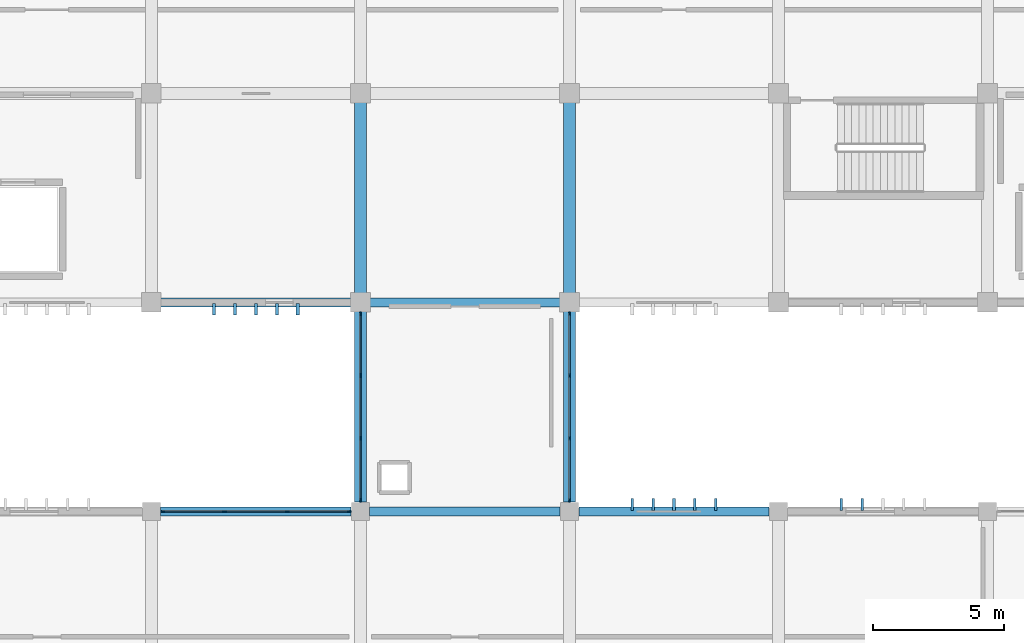
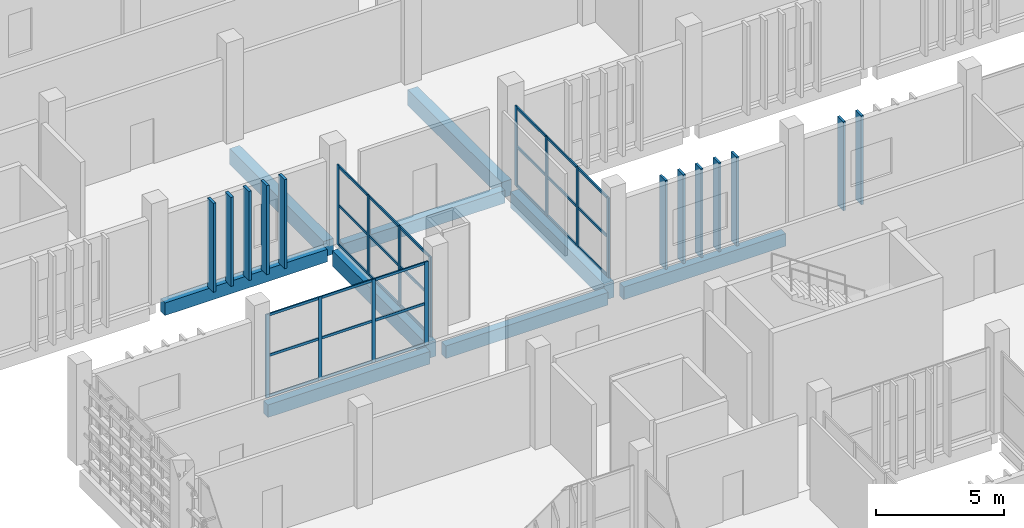
# One storey, part 55 of 106: 51 members, 9 beams, 3 elements without a shape of their own.
"""IFC4 building model written with IfcOpenShell, lengths in metres."""

from ifc_helpers import new_model, si_unit, direction, frame, origin, origin_2d, place, context, subcontext, project, spatial, rectangle, extrude, material, layer, layer_set, material_profile, profile_set, type_object, element, aggregate, save


model = new_model("IFC4")

# Units and contexts
model_context = context("Model", 3, precision=1e-05, world=origin(), true_north=direction((0.0, 1.0)))
body_context = subcontext(model_context, "Body", "Model", "MODEL_VIEW")
ifc_project = project(units=[si_unit("LENGTHUNIT", "METRE"), si_unit("AREAUNIT", "SQUARE_METRE"), si_unit("VOLUMEUNIT", "CUBIC_METRE"), si_unit("PLANEANGLEUNIT", "RADIAN"), si_unit("MASSUNIT", "GRAM", prefix="KILO")], contexts=[model_context])

# Site, building, storey
site_placement = place(None, origin())
site = spatial("IfcSite", under=ifc_project, at=site_placement, CompositionType="ELEMENT")
building_placement = place(site_placement, origin())
building = spatial("IfcBuilding", under=site, at=building_placement, Name="Jelvoka-Kovrelna Polytechnic", CompositionType="ELEMENT")
storey_placement = place(building_placement, frame((0.0, 0.0, 4.800048828125)))
storey = spatial("IfcBuildingStorey", under=building, at=storey_placement, Name="L02", CompositionType="ELEMENT", Elevation=4.800048828125)

# Beams
ifc_material_1 = material(Name="Concrete C40/50", Category="concrete")
ifc_material_profile_1 = material_profile(ifc_material_1, rectangle(XDim=0.449951171875, YDim=0.75, at=origin_2d()), Name="RC 450x750")
ifc_profile_set_1 = profile_set([ifc_material_profile_1], Name="Concrete C40/50")
beam_type_1 = type_object("IfcBeamType", Name="Beam_RC_450x750", PredefinedType="BEAM", material=ifc_profile_set_1)
for number, where, z_axis, x_axis, name in (
    (1, (144.0, 56.35498046875, -0.64013671875), (0.0, 1.0, 0.0), (-1.0, 0.0, 0.0), "L02 beam 0825"),
    (2, (152.0, 56.35498046875, -0.64013671875), (0.0, 1.0, 0.0), (-1.0, 0.0, 0.0), "L02 beam 0827"),
    (3, (144.0, 48.35498046875, -0.64013671875), (0.0, 1.0, 0.0), (-1.0, 0.0, 0.0), "L02 beam 0861"),
    (4, (152.0, 48.35498046875, -0.64013671875), (0.0, 1.0, 0.0), (-1.0, 0.0, 0.0), "L02 beam 0862"),
):
    element("IfcBeam", number, at=place(storey_placement, frame(where, z_axis=z_axis, x_axis=x_axis)), inside=storey, type_object=beam_type_1, Name=name, PredefinedType="BEAM", context=body_context, shape_type="SweptSolid", body=[
        extrude(rectangle(XDim=0.449951171875, YDim=0.75, at=origin_2d()), origin(), (0.0, 0.0, 1.0), 7.2900390625),
    ])

# Members
ifc_material_2 = material(Name="Precast concrete C40/50", Category="concrete")
ifc_material_profile_2 = material_profile(ifc_material_2, rectangle(XDim=0.10009765625, YDim=0.449951171875, at=origin_2d()), Name="PC 100x450")
ifc_profile_set_2 = profile_set([ifc_material_profile_2], Name="Precast concrete C40/50")
member_type_1 = type_object("IfcMemberType", Name="Louvre_Fin_100x450", PredefinedType="USERDEFINED", material=ifc_profile_set_2)
for number, where, z_axis, x_axis, name in (
    (5, (154.39990234375, 48.264892578125, -0.27001953125), (0.0, 0.0, 1.0), (1.0, 0.0, 0.0), "L02 B2E north vertical solar louvre fin 0921"),
    (6, (155.199951171875, 48.264892578125, -0.27001953125), (0.0, 0.0, 1.0), (1.0, 0.0, 0.0), "L02 B2E north vertical solar louvre fin 0922"),
    (7, (156.0, 48.264892578125, -0.27001953125), (0.0, 0.0, 1.0), (1.0, 0.0, 0.0), "L02 B2E north vertical solar louvre fin 0923"),
    (8, (156.800048828125, 48.264892578125, -0.27001953125), (0.0, 0.0, 1.0), (1.0, 0.0, 0.0), "L02 B2E north vertical solar louvre fin 0924"),
    (9, (157.60009765625, 48.264892578125, -0.27001953125), (0.0, 0.0, 1.0), (1.0, 0.0, 0.0), "L02 B2E north vertical solar louvre fin 0925"),
    (10, (162.39990234375, 48.264892578125, -0.27001953125), (0.0, 0.0, 1.0), (1.0, 0.0, 0.0), "L02 B2E north vertical solar louvre fin 0926"),
    (11, (163.199951171875, 48.264892578125, -0.27001953125), (0.0, 0.0, 1.0), (1.0, 0.0, 0.0), "L02 B2E north vertical solar louvre fin 0927"),
):
    element("IfcMember", number, at=place(storey_placement, frame(where, z_axis=z_axis, x_axis=x_axis)), inside=storey, type_object=member_type_1, Name=name, ObjectType="SUNSHADE", PredefinedType="USERDEFINED", context=body_context, shape_type="SweptSolid", body=[
        extrude(rectangle(XDim=0.10009765625, YDim=0.449951171875, at=origin_2d()), origin(), (0.0, 0.0, 1.0), 4.22998046875),
    ])
ifc_material_3 = material(Name="Precast concrete C40/50", Category="concrete")
ifc_material_profile_3 = material_profile(ifc_material_3, rectangle(XDim=0.1201171875, YDim=0.449951171875, at=origin_2d()), Name="PC 120x450")
ifc_profile_set_3 = profile_set([ifc_material_profile_3], Name="Precast concrete C40/50")
member_type_2 = type_object("IfcMemberType", Name="Louvre_Fin_120x450", PredefinedType="USERDEFINED", material=ifc_profile_set_3)
for number, where, z_axis, x_axis, name in (
    (12, (138.39990234375, 55.735107421875, -0.27001953125), (0.0, 0.0, 1.0), (1.0, 0.0, 0.0), "L02 B3 south vertical solar louvre fin 1396"),
    (13, (139.199951171875, 55.735107421875, -0.27001953125), (0.0, 0.0, 1.0), (1.0, 0.0, 0.0), "L02 B3 south vertical solar louvre fin 1397"),
    (14, (140.0, 55.735107421875, -0.27001953125), (0.0, 0.0, 1.0), (1.0, 0.0, 0.0), "L02 B3 south vertical solar louvre fin 1398"),
    (15, (140.800048828125, 55.735107421875, -0.27001953125), (0.0, 0.0, 1.0), (1.0, 0.0, 0.0), "L02 B3 south vertical solar louvre fin 1399"),
    (16, (141.60009765625, 55.735107421875, -0.27001953125), (0.0, 0.0, 1.0), (1.0, 0.0, 0.0), "L02 B3 south vertical solar louvre fin 1400"),
):
    element("IfcMember", number, at=place(storey_placement, frame(where, z_axis=z_axis, x_axis=x_axis)), inside=storey, type_object=member_type_2, Name=name, ObjectType="SUNSHADE", PredefinedType="USERDEFINED", context=body_context, shape_type="SweptSolid", body=[
        extrude(rectangle(XDim=0.1201171875, YDim=0.449951171875, at=origin_2d()), origin(), (0.0, 0.0, 1.0), 4.22998046875),
    ])

# Curtain wall, members
ifc_material_4 = material(Name="Anodised aluminium 6063-T6", Category="aluminium")
ifc_layer_1 = layer(ifc_material_4, 0.159912109375)
ifc_layer_set_1 = layer_set([ifc_layer_1], Name="Anodised aluminium 6063-T6")
curtain_wall_type_1 = type_object("IfcCurtainWallType", Name="CW_Recessed_A", PredefinedType="NOTDEFINED", material=ifc_layer_set_1)
curtain_wall_1_placement = place(storey_placement, origin())
curtain_wall_1 = element("IfcCurtainWall", 17, at=curtain_wall_1_placement, inside=storey, type_object=curtain_wall_type_1, Name="L02 glazed curtain wall 047", PredefinedType="NOTDEFINED")
ifc_material_5 = material(Name="Anodised aluminium 6063-T6", Category="aluminium")
ifc_material_profile_4 = material_profile(ifc_material_5, rectangle(XDim=0.06005859375, YDim=0.159912109375, at=origin_2d()), Name="ALU 60x160")
ifc_profile_set_4 = profile_set([ifc_material_profile_4], Name="Anodised aluminium 6063-T6")
member_type_3 = type_object("IfcMemberType", Name="Mullion_M-01", PredefinedType="MULLION", material=ifc_profile_set_4)
member_1_placement = place(storey_placement, frame((136.429931640625, 48.0, -0.02490234375), z_axis=(0.0, 0.0, 1.0), x_axis=(0.0, 1.0, 0.0)))
member_1 = element("IfcMember", 18, at=member_1_placement, type_object=member_type_3, Name="CW-01 mullion 1", PredefinedType="MULLION", context=body_context, shape_type="SweptSolid", body=[
    extrude(rectangle(XDim=0.06005859375, YDim=0.159912109375, at=origin_2d()), origin(), (0.0, 0.0, 1.0), 3.9599609375),
])
member_2_placement = place(storey_placement, frame((138.800048828125, 48.0, -0.02490234375), z_axis=(0.0, 0.0, 1.0), x_axis=(0.0, 1.0, 0.0)))
member_2 = element("IfcMember", 19, at=member_2_placement, type_object=member_type_3, Name="CW-01 mullion 2", PredefinedType="MULLION", context=body_context, shape_type="SweptSolid", body=[
    extrude(rectangle(XDim=0.06005859375, YDim=0.159912109375, at=origin_2d()), origin(), (0.0, 0.0, 1.0), 3.9599609375),
])
member_3_placement = place(storey_placement, frame((141.199951171875, 48.0, -0.02490234375), z_axis=(0.0, 0.0, 1.0), x_axis=(0.0, 1.0, 0.0)))
member_3 = element("IfcMember", 20, at=member_3_placement, type_object=member_type_3, Name="CW-01 mullion 3", PredefinedType="MULLION", context=body_context, shape_type="SweptSolid", body=[
    extrude(rectangle(XDim=0.06005859375, YDim=0.159912109375, at=origin_2d()), origin(), (0.0, 0.0, 1.0), 3.9599609375),
])
member_4_placement = place(storey_placement, frame((143.570068359375, 48.0, -0.02490234375), z_axis=(0.0, 0.0, 1.0), x_axis=(0.0, 1.0, 0.0)))
member_4 = element("IfcMember", 21, at=member_4_placement, type_object=member_type_3, Name="CW-01 mullion 4", PredefinedType="MULLION", context=body_context, shape_type="SweptSolid", body=[
    extrude(rectangle(XDim=0.06005859375, YDim=0.159912109375, at=origin_2d()), origin(), (0.0, 0.0, 1.0), 3.9599609375),
])

ifc_material_6 = material(Name="Anodised aluminium 6063-T6", Category="aluminium")
ifc_layer_2 = layer(ifc_material_6, 0.159912109375)
ifc_layer_set_2 = layer_set([ifc_layer_2], Name="Anodised aluminium 6063-T6")
curtain_wall_type_2 = type_object("IfcCurtainWallType", Name="CW_LinkBridge", PredefinedType="NOTDEFINED", material=ifc_layer_set_2)
curtain_wall_2_placement = place(storey_placement, origin())
curtain_wall_2 = element("IfcCurtainWall", 22, at=curtain_wall_2_placement, inside=storey, type_object=curtain_wall_type_2, Name="L02 glazed curtain wall 110", PredefinedType="NOTDEFINED")
ifc_material_7 = material(Name="Anodised aluminium 6063-T6", Category="aluminium")
ifc_material_profile_5 = material_profile(ifc_material_7, rectangle(XDim=0.06005859375, YDim=0.159912109375, at=origin_2d()), Name="ALU 60x160")
ifc_profile_set_5 = profile_set([ifc_material_profile_5], Name="Anodised aluminium 6063-T6")
member_type_4 = type_object("IfcMemberType", Name="Mullion_M-04", PredefinedType="MULLION", material=ifc_profile_set_5)
member_5_placement = place(storey_placement, frame((144.0, 48.429931640625, -0.02490234375), z_axis=(0.0, 0.0, 1.0), x_axis=(-1.0, 0.0, 0.0)))
member_5 = element("IfcMember", 23, at=member_5_placement, type_object=member_type_4, Name="CW-04 mullion 1", PredefinedType="MULLION", context=body_context, shape_type="SweptSolid", body=[
    extrude(rectangle(XDim=0.06005859375, YDim=0.159912109375, at=origin_2d()), origin(), (0.0, 0.0, 1.0), 3.81005859375),
])
member_6_placement = place(storey_placement, frame((144.0, 50.800048828125, -0.02490234375), z_axis=(0.0, 0.0, 1.0), x_axis=(-1.0, 0.0, 0.0)))
member_6 = element("IfcMember", 24, at=member_6_placement, type_object=member_type_4, Name="CW-04 mullion 2", PredefinedType="MULLION", context=body_context, shape_type="SweptSolid", body=[
    extrude(rectangle(XDim=0.06005859375, YDim=0.159912109375, at=origin_2d()), origin(), (0.0, 0.0, 1.0), 3.81005859375),
])
member_7_placement = place(storey_placement, frame((144.0, 53.199951171875, -0.02490234375), z_axis=(0.0, 0.0, 1.0), x_axis=(-1.0, 0.0, 0.0)))
member_7 = element("IfcMember", 25, at=member_7_placement, type_object=member_type_4, Name="CW-04 mullion 3", PredefinedType="MULLION", context=body_context, shape_type="SweptSolid", body=[
    extrude(rectangle(XDim=0.06005859375, YDim=0.159912109375, at=origin_2d()), origin(), (0.0, 0.0, 1.0), 3.81005859375),
])
member_8_placement = place(storey_placement, frame((144.0, 55.570068359375, -0.02490234375), z_axis=(0.0, 0.0, 1.0), x_axis=(-1.0, 0.0, 0.0)))
member_8 = element("IfcMember", 26, at=member_8_placement, type_object=member_type_4, Name="CW-04 mullion 4", PredefinedType="MULLION", context=body_context, shape_type="SweptSolid", body=[
    extrude(rectangle(XDim=0.06005859375, YDim=0.159912109375, at=origin_2d()), origin(), (0.0, 0.0, 1.0), 3.81005859375),
])

curtain_wall_3_placement = place(storey_placement, origin())
curtain_wall_3 = element("IfcCurtainWall", 27, at=curtain_wall_3_placement, inside=storey, type_object=curtain_wall_type_2, Name="L02 glazed curtain wall 111", PredefinedType="NOTDEFINED")
member_9_placement = place(storey_placement, frame((152.0, 55.570068359375, -0.02490234375), z_axis=(0.0, 0.0, 1.0), x_axis=(1.0, 0.0, 0.0)))
member_9 = element("IfcMember", 28, at=member_9_placement, type_object=member_type_4, Name="CW-04 mullion 1", PredefinedType="MULLION", context=body_context, shape_type="SweptSolid", body=[
    extrude(rectangle(XDim=0.06005859375, YDim=0.159912109375, at=origin_2d()), origin(), (0.0, 0.0, 1.0), 3.81005859375),
])
member_10_placement = place(storey_placement, frame((152.0, 53.199951171875, -0.02490234375), z_axis=(0.0, 0.0, 1.0), x_axis=(1.0, 0.0, 0.0)))
member_10 = element("IfcMember", 29, at=member_10_placement, type_object=member_type_4, Name="CW-04 mullion 2", PredefinedType="MULLION", context=body_context, shape_type="SweptSolid", body=[
    extrude(rectangle(XDim=0.06005859375, YDim=0.159912109375, at=origin_2d()), origin(), (0.0, 0.0, 1.0), 3.81005859375),
])
member_11_placement = place(storey_placement, frame((152.0, 50.800048828125, -0.02490234375), z_axis=(0.0, 0.0, 1.0), x_axis=(1.0, 0.0, 0.0)))
member_11 = element("IfcMember", 30, at=member_11_placement, type_object=member_type_4, Name="CW-04 mullion 3", PredefinedType="MULLION", context=body_context, shape_type="SweptSolid", body=[
    extrude(rectangle(XDim=0.06005859375, YDim=0.159912109375, at=origin_2d()), origin(), (0.0, 0.0, 1.0), 3.81005859375),
])
member_12_placement = place(storey_placement, frame((152.0, 48.429931640625, -0.02490234375), z_axis=(0.0, 0.0, 1.0), x_axis=(1.0, 0.0, 0.0)))
member_12 = element("IfcMember", 31, at=member_12_placement, type_object=member_type_4, Name="CW-04 mullion 4", PredefinedType="MULLION", context=body_context, shape_type="SweptSolid", body=[
    extrude(rectangle(XDim=0.06005859375, YDim=0.159912109375, at=origin_2d()), origin(), (0.0, 0.0, 1.0), 3.81005859375),
])

# Beams
ifc_material_8 = material(Name="Concrete C40/50", Category="concrete")
ifc_material_profile_6 = material_profile(ifc_material_8, rectangle(XDim=0.35009765625, YDim=0.60009765625, at=origin_2d()), Name="RC 350x600")
ifc_profile_set_6 = profile_set([ifc_material_profile_6], Name="Concrete C40/50")
beam_type_2 = type_object("IfcBeamType", Name="Spandrel_RC_350x600", PredefinedType="SPANDREL", material=ifc_profile_set_6)
for number, where, z_axis, x_axis, name in (
    (32, (136.35498046875, 48.0, -0.56494140625), (1.0, 0.0, 0.0), (0.0, 1.0, 0.0), "L02 beam 0727"),
    (33, (144.35498046875, 48.0, -0.56494140625), (1.0, 0.0, 0.0), (0.0, 1.0, 0.0), "L02 beam 0728"),
    (34, (152.35498046875, 48.0, -0.56494140625), (1.0, 0.0, 0.0), (0.0, 1.0, 0.0), "L02 beam 0729"),
    (35, (136.35498046875, 56.0, -0.56494140625), (1.0, 0.0, 0.0), (0.0, 1.0, 0.0), "L02 beam 0794"),
    (36, (144.35498046875, 56.0, -0.56494140625), (1.0, 0.0, 0.0), (0.0, 1.0, 0.0), "L02 beam 0795"),
):
    element("IfcBeam", number, at=place(storey_placement, frame(where, z_axis=z_axis, x_axis=x_axis)), inside=storey, type_object=beam_type_2, Name=name, PredefinedType="SPANDREL", context=body_context, shape_type="SweptSolid", body=[
        extrude(rectangle(XDim=0.35009765625, YDim=0.60009765625, at=origin_2d()), origin(), (0.0, 0.0, 1.0), 7.2900390625),
    ])

# Member
ifc_material_9 = material(Name="Anodised aluminium 6063-T6", Category="aluminium")
ifc_material_profile_7 = material_profile(ifc_material_9, rectangle(XDim=0.06005859375, YDim=0.1201171875, at=origin_2d()), Name="ALU 60x120")
ifc_profile_set_7 = profile_set([ifc_material_profile_7], Name="Anodised aluminium 6063-T6")
member_type_5 = type_object("IfcMemberType", Name="Transom_T-01", PredefinedType="USERDEFINED", material=ifc_profile_set_7)
member_13_placement = place(storey_placement, frame((136.4599609375, 48.0, 0.030029296875), z_axis=(1.0, 0.0, 0.0), x_axis=(0.0, 1.0, 0.0)))
member_13 = element("IfcMember", 37, at=member_13_placement, type_object=member_type_5, Name="CW-01 transom 1.1", ObjectType="TRANSOM", PredefinedType="USERDEFINED", context=body_context, shape_type="SweptSolid", body=[
    extrude(rectangle(XDim=0.06005859375, YDim=0.1201171875, at=origin_2d()), origin(), (0.0, 0.0, 1.0), 2.31005859375),
])

member_14_placement = place(storey_placement, frame((136.4599609375, 48.0, 1.954833984375), z_axis=(1.0, 0.0, 0.0), x_axis=(0.0, 1.0, 0.0)))
member_14 = element("IfcMember", 38, at=member_14_placement, type_object=member_type_5, Name="CW-01 transom 1.2", ObjectType="TRANSOM", PredefinedType="USERDEFINED", context=body_context, shape_type="SweptSolid", body=[
    extrude(rectangle(XDim=0.06005859375, YDim=0.1201171875, at=origin_2d()), origin(), (0.0, 0.0, 1.0), 2.31005859375),
])

member_15_placement = place(storey_placement, frame((136.4599609375, 48.0, 3.8798828125), z_axis=(1.0, 0.0, 0.0), x_axis=(0.0, 1.0, 0.0)))
member_15 = element("IfcMember", 39, at=member_15_placement, type_object=member_type_5, Name="CW-01 transom 1.3", ObjectType="TRANSOM", PredefinedType="USERDEFINED", context=body_context, shape_type="SweptSolid", body=[
    extrude(rectangle(XDim=0.06005859375, YDim=0.1201171875, at=origin_2d()), origin(), (0.0, 0.0, 1.0), 2.31005859375),
])

member_16_placement = place(storey_placement, frame((138.830078125, 48.0, 0.030029296875), z_axis=(1.0, 0.0, 0.0), x_axis=(0.0, 1.0, 0.0)))
member_16 = element("IfcMember", 40, at=member_16_placement, type_object=member_type_5, Name="CW-01 transom 2.1", ObjectType="TRANSOM", PredefinedType="USERDEFINED", context=body_context, shape_type="SweptSolid", body=[
    extrude(rectangle(XDim=0.06005859375, YDim=0.1201171875, at=origin_2d()), origin(), (0.0, 0.0, 1.0), 2.33984375),
])

member_17_placement = place(storey_placement, frame((138.830078125, 48.0, 1.954833984375), z_axis=(1.0, 0.0, 0.0), x_axis=(0.0, 1.0, 0.0)))
member_17 = element("IfcMember", 41, at=member_17_placement, type_object=member_type_5, Name="CW-01 transom 2.2", ObjectType="TRANSOM", PredefinedType="USERDEFINED", context=body_context, shape_type="SweptSolid", body=[
    extrude(rectangle(XDim=0.06005859375, YDim=0.1201171875, at=origin_2d()), origin(), (0.0, 0.0, 1.0), 2.33984375),
])

member_18_placement = place(storey_placement, frame((138.830078125, 48.0, 3.8798828125), z_axis=(1.0, 0.0, 0.0), x_axis=(0.0, 1.0, 0.0)))
member_18 = element("IfcMember", 42, at=member_18_placement, type_object=member_type_5, Name="CW-01 transom 2.3", ObjectType="TRANSOM", PredefinedType="USERDEFINED", context=body_context, shape_type="SweptSolid", body=[
    extrude(rectangle(XDim=0.06005859375, YDim=0.1201171875, at=origin_2d()), origin(), (0.0, 0.0, 1.0), 2.33984375),
])

member_19_placement = place(storey_placement, frame((141.22998046875, 48.0, 0.030029296875), z_axis=(1.0, 0.0, 0.0), x_axis=(0.0, 1.0, 0.0)))
member_19 = element("IfcMember", 43, at=member_19_placement, type_object=member_type_5, Name="CW-01 transom 3.1", ObjectType="TRANSOM", PredefinedType="USERDEFINED", context=body_context, shape_type="SweptSolid", body=[
    extrude(rectangle(XDim=0.06005859375, YDim=0.1201171875, at=origin_2d()), origin(), (0.0, 0.0, 1.0), 2.31005859375),
])

member_20_placement = place(storey_placement, frame((141.22998046875, 48.0, 1.954833984375), z_axis=(1.0, 0.0, 0.0), x_axis=(0.0, 1.0, 0.0)))
member_20 = element("IfcMember", 44, at=member_20_placement, type_object=member_type_5, Name="CW-01 transom 3.2", ObjectType="TRANSOM", PredefinedType="USERDEFINED", context=body_context, shape_type="SweptSolid", body=[
    extrude(rectangle(XDim=0.06005859375, YDim=0.1201171875, at=origin_2d()), origin(), (0.0, 0.0, 1.0), 2.31005859375),
])

member_21_placement = place(storey_placement, frame((141.22998046875, 48.0, 3.8798828125), z_axis=(1.0, 0.0, 0.0), x_axis=(0.0, 1.0, 0.0)))
member_21 = element("IfcMember", 45, at=member_21_placement, type_object=member_type_5, Name="CW-01 transom 3.3", ObjectType="TRANSOM", PredefinedType="USERDEFINED", context=body_context, shape_type="SweptSolid", body=[
    extrude(rectangle(XDim=0.06005859375, YDim=0.1201171875, at=origin_2d()), origin(), (0.0, 0.0, 1.0), 2.31005859375),
])

aggregate(curtain_wall_1, [member_1, member_2, member_3, member_4, member_13, member_14, member_15, member_16, member_17, member_18, member_19, member_20, member_21])

ifc_material_10 = material(Name="Anodised aluminium 6063-T6", Category="aluminium")
ifc_material_profile_8 = material_profile(ifc_material_10, rectangle(XDim=0.06005859375, YDim=0.1201171875, at=origin_2d()), Name="ALU 60x120")
ifc_profile_set_8 = profile_set([ifc_material_profile_8], Name="Anodised aluminium 6063-T6")
member_type_6 = type_object("IfcMemberType", Name="Transom_T-04", PredefinedType="USERDEFINED", material=ifc_profile_set_8)
member_22_placement = place(storey_placement, frame((144.0, 48.4599609375, 0.030029296875), z_axis=(0.0, 1.0, 0.0), x_axis=(-1.0, 0.0, 0.0)))
member_22 = element("IfcMember", 46, at=member_22_placement, type_object=member_type_6, Name="CW-04 transom 1.1", ObjectType="TRANSOM", PredefinedType="USERDEFINED", context=body_context, shape_type="SweptSolid", body=[
    extrude(rectangle(XDim=0.06005859375, YDim=0.1201171875, at=origin_2d()), origin(), (0.0, 0.0, 1.0), 2.31005859375),
])

member_23_placement = place(storey_placement, frame((144.0, 48.4599609375, 1.8798828125), z_axis=(0.0, 1.0, 0.0), x_axis=(-1.0, 0.0, 0.0)))
member_23 = element("IfcMember", 47, at=member_23_placement, type_object=member_type_6, Name="CW-04 transom 1.2", ObjectType="TRANSOM", PredefinedType="USERDEFINED", context=body_context, shape_type="SweptSolid", body=[
    extrude(rectangle(XDim=0.06005859375, YDim=0.1201171875, at=origin_2d()), origin(), (0.0, 0.0, 1.0), 2.31005859375),
])

member_24_placement = place(storey_placement, frame((144.0, 48.4599609375, 3.72998046875), z_axis=(0.0, 1.0, 0.0), x_axis=(-1.0, 0.0, 0.0)))
member_24 = element("IfcMember", 48, at=member_24_placement, type_object=member_type_6, Name="CW-04 transom 1.3", ObjectType="TRANSOM", PredefinedType="USERDEFINED", context=body_context, shape_type="SweptSolid", body=[
    extrude(rectangle(XDim=0.06005859375, YDim=0.1201171875, at=origin_2d()), origin(), (0.0, 0.0, 1.0), 2.31005859375),
])

member_25_placement = place(storey_placement, frame((144.0, 50.830078125, 0.030029296875), z_axis=(0.0, 1.0, 0.0), x_axis=(-1.0, 0.0, 0.0)))
member_25 = element("IfcMember", 49, at=member_25_placement, type_object=member_type_6, Name="CW-04 transom 2.1", ObjectType="TRANSOM", PredefinedType="USERDEFINED", context=body_context, shape_type="SweptSolid", body=[
    extrude(rectangle(XDim=0.06005859375, YDim=0.1201171875, at=origin_2d()), origin(), (0.0, 0.0, 1.0), 2.33984375),
])

member_26_placement = place(storey_placement, frame((144.0, 50.830078125, 1.8798828125), z_axis=(0.0, 1.0, 0.0), x_axis=(-1.0, 0.0, 0.0)))
member_26 = element("IfcMember", 50, at=member_26_placement, type_object=member_type_6, Name="CW-04 transom 2.2", ObjectType="TRANSOM", PredefinedType="USERDEFINED", context=body_context, shape_type="SweptSolid", body=[
    extrude(rectangle(XDim=0.06005859375, YDim=0.1201171875, at=origin_2d()), origin(), (0.0, 0.0, 1.0), 2.33984375),
])

member_27_placement = place(storey_placement, frame((144.0, 50.830078125, 3.72998046875), z_axis=(0.0, 1.0, 0.0), x_axis=(-1.0, 0.0, 0.0)))
member_27 = element("IfcMember", 51, at=member_27_placement, type_object=member_type_6, Name="CW-04 transom 2.3", ObjectType="TRANSOM", PredefinedType="USERDEFINED", context=body_context, shape_type="SweptSolid", body=[
    extrude(rectangle(XDim=0.06005859375, YDim=0.1201171875, at=origin_2d()), origin(), (0.0, 0.0, 1.0), 2.33984375),
])

member_28_placement = place(storey_placement, frame((144.0, 53.22998046875, 0.030029296875), z_axis=(0.0, 1.0, 0.0), x_axis=(-1.0, 0.0, 0.0)))
member_28 = element("IfcMember", 52, at=member_28_placement, type_object=member_type_6, Name="CW-04 transom 3.1", ObjectType="TRANSOM", PredefinedType="USERDEFINED", context=body_context, shape_type="SweptSolid", body=[
    extrude(rectangle(XDim=0.06005859375, YDim=0.1201171875, at=origin_2d()), origin(), (0.0, 0.0, 1.0), 2.31005859375),
])

member_29_placement = place(storey_placement, frame((144.0, 53.22998046875, 1.8798828125), z_axis=(0.0, 1.0, 0.0), x_axis=(-1.0, 0.0, 0.0)))
member_29 = element("IfcMember", 53, at=member_29_placement, type_object=member_type_6, Name="CW-04 transom 3.2", ObjectType="TRANSOM", PredefinedType="USERDEFINED", context=body_context, shape_type="SweptSolid", body=[
    extrude(rectangle(XDim=0.06005859375, YDim=0.1201171875, at=origin_2d()), origin(), (0.0, 0.0, 1.0), 2.31005859375),
])

member_30_placement = place(storey_placement, frame((144.0, 53.22998046875, 3.72998046875), z_axis=(0.0, 1.0, 0.0), x_axis=(-1.0, 0.0, 0.0)))
member_30 = element("IfcMember", 54, at=member_30_placement, type_object=member_type_6, Name="CW-04 transom 3.3", ObjectType="TRANSOM", PredefinedType="USERDEFINED", context=body_context, shape_type="SweptSolid", body=[
    extrude(rectangle(XDim=0.06005859375, YDim=0.1201171875, at=origin_2d()), origin(), (0.0, 0.0, 1.0), 2.31005859375),
])

aggregate(curtain_wall_2, [member_5, member_6, member_7, member_8, member_22, member_23, member_24, member_25, member_26, member_27, member_28, member_29, member_30])

member_31_placement = place(storey_placement, frame((152.0, 55.5400390625, 0.030029296875), z_axis=(0.0, -1.0, 0.0), x_axis=(1.0, 0.0, 0.0)))
member_31 = element("IfcMember", 55, at=member_31_placement, type_object=member_type_6, Name="CW-04 transom 1.1", ObjectType="TRANSOM", PredefinedType="USERDEFINED", context=body_context, shape_type="SweptSolid", body=[
    extrude(rectangle(XDim=0.06005859375, YDim=0.1201171875, at=origin_2d()), origin(), (0.0, 0.0, 1.0), 2.31005859375),
])

member_32_placement = place(storey_placement, frame((152.0, 55.5400390625, 1.8798828125), z_axis=(0.0, -1.0, 0.0), x_axis=(1.0, 0.0, 0.0)))
member_32 = element("IfcMember", 56, at=member_32_placement, type_object=member_type_6, Name="CW-04 transom 1.2", ObjectType="TRANSOM", PredefinedType="USERDEFINED", context=body_context, shape_type="SweptSolid", body=[
    extrude(rectangle(XDim=0.06005859375, YDim=0.1201171875, at=origin_2d()), origin(), (0.0, 0.0, 1.0), 2.31005859375),
])

member_33_placement = place(storey_placement, frame((152.0, 55.5400390625, 3.72998046875), z_axis=(0.0, -1.0, 0.0), x_axis=(1.0, 0.0, 0.0)))
member_33 = element("IfcMember", 57, at=member_33_placement, type_object=member_type_6, Name="CW-04 transom 1.3", ObjectType="TRANSOM", PredefinedType="USERDEFINED", context=body_context, shape_type="SweptSolid", body=[
    extrude(rectangle(XDim=0.06005859375, YDim=0.1201171875, at=origin_2d()), origin(), (0.0, 0.0, 1.0), 2.31005859375),
])

member_34_placement = place(storey_placement, frame((152.0, 53.169921875, 0.030029296875), z_axis=(0.0, -1.0, 0.0), x_axis=(1.0, 0.0, 0.0)))
member_34 = element("IfcMember", 58, at=member_34_placement, type_object=member_type_6, Name="CW-04 transom 2.1", ObjectType="TRANSOM", PredefinedType="USERDEFINED", context=body_context, shape_type="SweptSolid", body=[
    extrude(rectangle(XDim=0.06005859375, YDim=0.1201171875, at=origin_2d()), origin(), (0.0, 0.0, 1.0), 2.33984375),
])

member_35_placement = place(storey_placement, frame((152.0, 53.169921875, 1.8798828125), z_axis=(0.0, -1.0, 0.0), x_axis=(1.0, 0.0, 0.0)))
member_35 = element("IfcMember", 59, at=member_35_placement, type_object=member_type_6, Name="CW-04 transom 2.2", ObjectType="TRANSOM", PredefinedType="USERDEFINED", context=body_context, shape_type="SweptSolid", body=[
    extrude(rectangle(XDim=0.06005859375, YDim=0.1201171875, at=origin_2d()), origin(), (0.0, 0.0, 1.0), 2.33984375),
])

member_36_placement = place(storey_placement, frame((152.0, 53.169921875, 3.72998046875), z_axis=(0.0, -1.0, 0.0), x_axis=(1.0, 0.0, 0.0)))
member_36 = element("IfcMember", 60, at=member_36_placement, type_object=member_type_6, Name="CW-04 transom 2.3", ObjectType="TRANSOM", PredefinedType="USERDEFINED", context=body_context, shape_type="SweptSolid", body=[
    extrude(rectangle(XDim=0.06005859375, YDim=0.1201171875, at=origin_2d()), origin(), (0.0, 0.0, 1.0), 2.33984375),
])

member_37_placement = place(storey_placement, frame((152.0, 50.77001953125, 0.030029296875), z_axis=(0.0, -1.0, 0.0), x_axis=(1.0, 0.0, 0.0)))
member_37 = element("IfcMember", 61, at=member_37_placement, type_object=member_type_6, Name="CW-04 transom 3.1", ObjectType="TRANSOM", PredefinedType="USERDEFINED", context=body_context, shape_type="SweptSolid", body=[
    extrude(rectangle(XDim=0.06005859375, YDim=0.1201171875, at=origin_2d()), origin(), (0.0, 0.0, 1.0), 2.31005859375),
])

member_38_placement = place(storey_placement, frame((152.0, 50.77001953125, 1.8798828125), z_axis=(0.0, -1.0, 0.0), x_axis=(1.0, 0.0, 0.0)))
member_38 = element("IfcMember", 62, at=member_38_placement, type_object=member_type_6, Name="CW-04 transom 3.2", ObjectType="TRANSOM", PredefinedType="USERDEFINED", context=body_context, shape_type="SweptSolid", body=[
    extrude(rectangle(XDim=0.06005859375, YDim=0.1201171875, at=origin_2d()), origin(), (0.0, 0.0, 1.0), 2.31005859375),
])

member_39_placement = place(storey_placement, frame((152.0, 50.77001953125, 3.72998046875), z_axis=(0.0, -1.0, 0.0), x_axis=(1.0, 0.0, 0.0)))
member_39 = element("IfcMember", 63, at=member_39_placement, type_object=member_type_6, Name="CW-04 transom 3.3", ObjectType="TRANSOM", PredefinedType="USERDEFINED", context=body_context, shape_type="SweptSolid", body=[
    extrude(rectangle(XDim=0.06005859375, YDim=0.1201171875, at=origin_2d()), origin(), (0.0, 0.0, 1.0), 2.31005859375),
])

aggregate(curtain_wall_3, [member_9, member_10, member_11, member_12, member_31, member_32, member_33, member_34, member_35, member_36, member_37, member_38, member_39])

save(model, "model.ifc")
